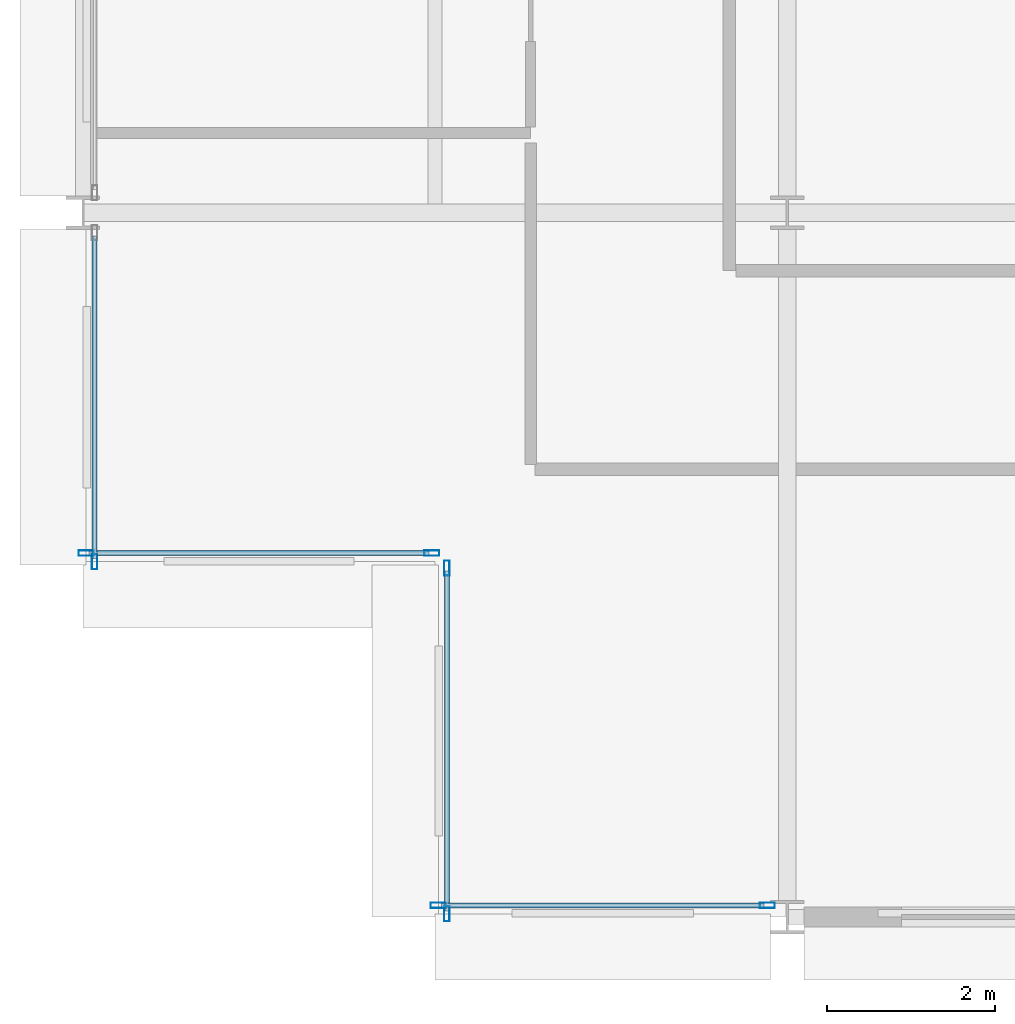
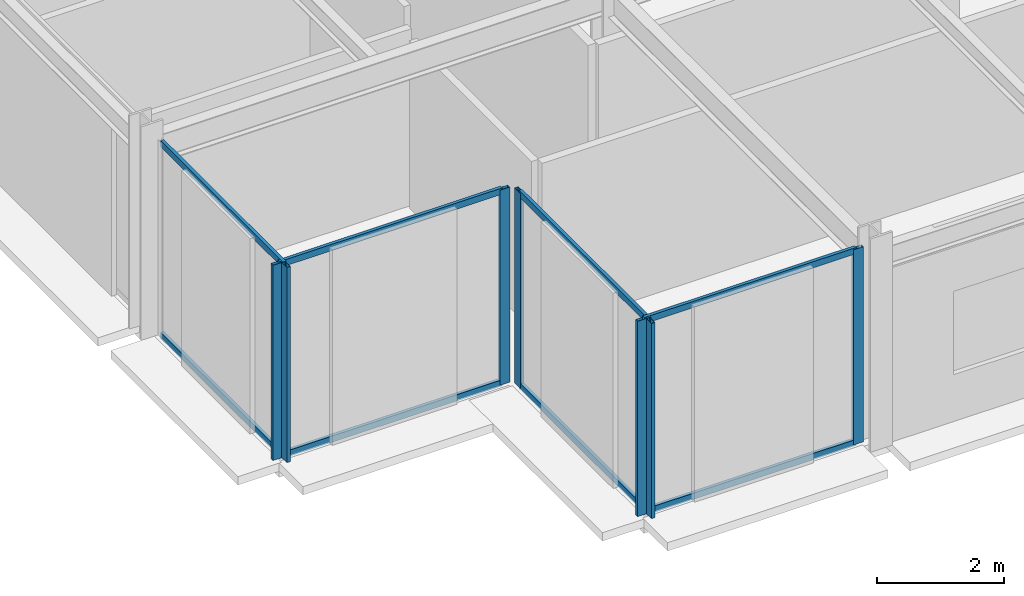
# One storey, part 4 of 40: 15 members, 4 elements without a shape of their own.
"""IFC4 building model written with IfcOpenShell, lengths in metres."""

from ifc_helpers import new_model, si_unit, direction, frame, origin, origin_2d, place, context, subcontext, project, spatial, hollow_rectangle, extrude, material, layer, layer_set, material_profile, profile_set, type_object, element, aggregate, save


model = new_model("IFC4")

# Units and contexts
model_context = context("Model", 3, precision=1e-05, world=origin(), true_north=direction((0.0, 1.0)))
body_context = subcontext(model_context, "Body", "Model", "MODEL_VIEW")
ifc_project = project(units=[si_unit("LENGTHUNIT", "METRE"), si_unit("AREAUNIT", "SQUARE_METRE"), si_unit("VOLUMEUNIT", "CUBIC_METRE"), si_unit("PLANEANGLEUNIT", "RADIAN"), si_unit("MASSUNIT", "GRAM", prefix="KILO")], contexts=[model_context])

# Site, building, storey
site_placement = place(None, origin())
site = spatial("IfcSite", under=ifc_project, at=site_placement, CompositionType="ELEMENT")
building_placement = place(site_placement, origin())
building = spatial("IfcBuilding", under=site, at=building_placement, Name="Nerrivon Quay Data Exchange", CompositionType="ELEMENT")
storey_placement = place(building_placement, frame((0.0, 0.0, 109.0)))
storey = spatial("IfcBuildingStorey", under=building, at=storey_placement, Name="L25", CompositionType="ELEMENT", Elevation=109.0)

# Curtain wall, members
ifc_material = material(Name="Anodised aluminium 6063-T6", Category="aluminium")
ifc_layer = layer(ifc_material, 0.2099609375)
ifc_layer_set = layer_set([ifc_layer], Name="Anodised aluminium 6063-T6")
curtain_wall_type = type_object("IfcCurtainWallType", Name="CW-SYS-02", PredefinedType="NOTDEFINED", material=ifc_layer_set)
curtain_wall_1_placement = place(storey_placement, origin())
curtain_wall_1 = element("IfcCurtainWall", 1, at=curtain_wall_1_placement, inside=storey, type_object=curtain_wall_type, Name="L25 Unitised Curtain Wall 14", PredefinedType="NOTDEFINED")
ifc_material_profile_1 = material_profile(ifc_material, hollow_rectangle(XDim=0.06494140625, YDim=0.179931640625, WallThickness=0.00341796875, at=origin_2d()), Name="ALU-MULL-180x65")
ifc_profile_set_1 = profile_set([ifc_material_profile_1], Name="Anodised aluminium 6063-T6")
member_type_1 = type_object("IfcMemberType", Name="CWM-180x65", PredefinedType="MULLION", material=ifc_profile_set_1)
member_1_placement = place(storey_placement, frame((8.16259765625, 0.139892578125, 0.0), z_axis=(0.0, 0.0, 1.0), x_axis=(0.0, -1.0, 0.0)))
member_1 = element("IfcMember", 2, at=member_1_placement, type_object=member_type_1, Name="CW02 mullion 1", PredefinedType="MULLION", context=body_context, shape_type="SweptSolid", body=[
    extrude(hollow_rectangle(XDim=0.06494140625, YDim=0.179931640625, WallThickness=0.00341796875, at=origin_2d()), origin(), (0.0, 0.0, 1.0), 3.75),
])
member_2_placement = place(storey_placement, frame((4.237548828125, 0.139892578125, 0.0), z_axis=(0.0, 0.0, 1.0), x_axis=(0.0, -1.0, 0.0)))
member_2 = element("IfcMember", 3, at=member_2_placement, type_object=member_type_1, Name="CW02 mullion 2", PredefinedType="MULLION", context=body_context, shape_type="SweptSolid", body=[
    extrude(hollow_rectangle(XDim=0.06494140625, YDim=0.179931640625, WallThickness=0.00341796875, at=origin_2d()), origin(), (0.0, 0.0, 1.0), 3.75),
])

curtain_wall_2_placement = place(storey_placement, origin())
curtain_wall_2 = element("IfcCurtainWall", 4, at=curtain_wall_2_placement, inside=storey, type_object=curtain_wall_type, Name="L25 Unitised Curtain Wall 15", PredefinedType="NOTDEFINED")
member_3_placement = place(storey_placement, frame((4.340087890625, 0.03759765625, 0.0), z_axis=(0.0, 0.0, 1.0), x_axis=(-1.0, 0.0, 0.0)))
member_3 = element("IfcMember", 5, at=member_3_placement, type_object=member_type_1, Name="CW02 mullion 1", PredefinedType="MULLION", context=body_context, shape_type="SweptSolid", body=[
    extrude(hollow_rectangle(XDim=0.06494140625, YDim=0.179931640625, WallThickness=0.00341796875, at=origin_2d()), origin(), (0.0, 0.0, 1.0), 3.75),
])
member_4_placement = place(storey_placement, frame((4.340087890625, 4.16259765625, 0.0), z_axis=(0.0, 0.0, 1.0), x_axis=(-1.0, 0.0, 0.0)))
member_4 = element("IfcMember", 6, at=member_4_placement, type_object=member_type_1, Name="CW02 mullion 2", PredefinedType="MULLION", context=body_context, shape_type="SweptSolid", body=[
    extrude(hollow_rectangle(XDim=0.06494140625, YDim=0.179931640625, WallThickness=0.00341796875, at=origin_2d()), origin(), (0.0, 0.0, 1.0), 3.75),
])

curtain_wall_3_placement = place(storey_placement, origin())
curtain_wall_3 = element("IfcCurtainWall", 7, at=curtain_wall_3_placement, inside=storey, type_object=curtain_wall_type, Name="L25 Unitised Curtain Wall 16", PredefinedType="NOTDEFINED")
member_5_placement = place(storey_placement, frame((4.16259765625, 4.340087890625, 0.0), z_axis=(0.0, 0.0, 1.0), x_axis=(0.0, -1.0, 0.0)))
member_5 = element("IfcMember", 8, at=member_5_placement, type_object=member_type_1, Name="CW02 mullion 1", PredefinedType="MULLION", context=body_context, shape_type="SweptSolid", body=[
    extrude(hollow_rectangle(XDim=0.06494140625, YDim=0.179931640625, WallThickness=0.00341796875, at=origin_2d()), origin(), (0.0, 0.0, 1.0), 3.75),
])
member_6_placement = place(storey_placement, frame((0.03759765625, 4.340087890625, 0.0), z_axis=(0.0, 0.0, 1.0), x_axis=(0.0, -1.0, 0.0)))
member_6 = element("IfcMember", 9, at=member_6_placement, type_object=member_type_1, Name="CW02 mullion 2", PredefinedType="MULLION", context=body_context, shape_type="SweptSolid", body=[
    extrude(hollow_rectangle(XDim=0.06494140625, YDim=0.179931640625, WallThickness=0.00341796875, at=origin_2d()), origin(), (0.0, 0.0, 1.0), 3.75),
])

# Curtain wall, member
curtain_wall_4_placement = place(storey_placement, origin())
curtain_wall_4 = element("IfcCurtainWall", 10, at=curtain_wall_4_placement, inside=storey, type_object=curtain_wall_type, Name="L25 Unitised Curtain Wall 17", PredefinedType="NOTDEFINED")
member_7_placement = place(storey_placement, frame((0.139892578125, 4.237548828125, 0.0), z_axis=(0.0, 0.0, 1.0), x_axis=(-1.0, 0.0, 0.0)))
member_7 = element("IfcMember", 11, at=member_7_placement, type_object=member_type_1, Name="CW02 mullion 1", PredefinedType="MULLION", context=body_context, shape_type="SweptSolid", body=[
    extrude(hollow_rectangle(XDim=0.06494140625, YDim=0.179931640625, WallThickness=0.00341796875, at=origin_2d()), origin(), (0.0, 0.0, 1.0), 3.75),
])

# Member
ifc_material_profile_2 = material_profile(ifc_material, hollow_rectangle(XDim=0.06005859375, YDim=0.1201171875, WallThickness=0.003173828125, at=origin_2d()), Name="ALU-TRAN-120x60")
ifc_profile_set_2 = profile_set([ifc_material_profile_2], Name="Anodised aluminium 6063-T6")
member_type_2 = type_object("IfcMemberType", Name="CWT-120x60", PredefinedType="USERDEFINED", material=ifc_profile_set_2)
member_8_placement = place(storey_placement, frame((8.125, 0.139892578125, 0.032470703125), z_axis=(-1.0, 0.0, 0.0), x_axis=(0.0, -1.0, 0.0)))
member_8 = element("IfcMember", 12, at=member_8_placement, type_object=member_type_2, Name="CW02 transom 1.1", ObjectType="TRANSOM", PredefinedType="USERDEFINED", context=body_context, shape_type="SweptSolid", body=[
    extrude(hollow_rectangle(XDim=0.06005859375, YDim=0.1201171875, WallThickness=0.003173828125, at=origin_2d()), origin(), (0.0, 0.0, 1.0), 3.85009765625),
])

member_9_placement = place(storey_placement, frame((8.125, 0.139892578125, 3.717529296875), z_axis=(-1.0, 0.0, 0.0), x_axis=(0.0, -1.0, 0.0)))
member_9 = element("IfcMember", 13, at=member_9_placement, type_object=member_type_2, Name="CW02 transom 1.2", ObjectType="TRANSOM", PredefinedType="USERDEFINED", context=body_context, shape_type="SweptSolid", body=[
    extrude(hollow_rectangle(XDim=0.06005859375, YDim=0.1201171875, WallThickness=0.003173828125, at=origin_2d()), origin(), (0.0, 0.0, 1.0), 3.85009765625),
])

aggregate(curtain_wall_1, [member_1, member_2, member_8, member_9])

member_10_placement = place(storey_placement, frame((4.340087890625, 0.074951171875, 0.032470703125), z_axis=(0.0, 1.0, 0.0), x_axis=(-1.0, 0.0, 0.0)))
member_10 = element("IfcMember", 14, at=member_10_placement, type_object=member_type_2, Name="CW02 transom 1.1", ObjectType="TRANSOM", PredefinedType="USERDEFINED", context=body_context, shape_type="SweptSolid", body=[
    extrude(hollow_rectangle(XDim=0.06005859375, YDim=0.1201171875, WallThickness=0.003173828125, at=origin_2d()), origin(), (0.0, 0.0, 1.0), 4.050048828125),
])

member_11_placement = place(storey_placement, frame((4.340087890625, 0.074951171875, 3.717529296875), z_axis=(0.0, 1.0, 0.0), x_axis=(-1.0, 0.0, 0.0)))
member_11 = element("IfcMember", 15, at=member_11_placement, type_object=member_type_2, Name="CW02 transom 1.2", ObjectType="TRANSOM", PredefinedType="USERDEFINED", context=body_context, shape_type="SweptSolid", body=[
    extrude(hollow_rectangle(XDim=0.06005859375, YDim=0.1201171875, WallThickness=0.003173828125, at=origin_2d()), origin(), (0.0, 0.0, 1.0), 4.050048828125),
])

aggregate(curtain_wall_2, [member_3, member_4, member_10, member_11])

member_12_placement = place(storey_placement, frame((4.125, 4.340087890625, 0.032470703125), z_axis=(-1.0, 0.0, 0.0), x_axis=(0.0, -1.0, 0.0)))
member_12 = element("IfcMember", 16, at=member_12_placement, type_object=member_type_2, Name="CW02 transom 1.1", ObjectType="TRANSOM", PredefinedType="USERDEFINED", context=body_context, shape_type="SweptSolid", body=[
    extrude(hollow_rectangle(XDim=0.06005859375, YDim=0.1201171875, WallThickness=0.003173828125, at=origin_2d()), origin(), (0.0, 0.0, 1.0), 4.050048828125),
])

member_13_placement = place(storey_placement, frame((4.125, 4.340087890625, 3.717529296875), z_axis=(-1.0, 0.0, 0.0), x_axis=(0.0, -1.0, 0.0)))
member_13 = element("IfcMember", 17, at=member_13_placement, type_object=member_type_2, Name="CW02 transom 1.2", ObjectType="TRANSOM", PredefinedType="USERDEFINED", context=body_context, shape_type="SweptSolid", body=[
    extrude(hollow_rectangle(XDim=0.06005859375, YDim=0.1201171875, WallThickness=0.003173828125, at=origin_2d()), origin(), (0.0, 0.0, 1.0), 4.050048828125),
])

aggregate(curtain_wall_3, [member_5, member_6, member_12, member_13])

member_14_placement = place(storey_placement, frame((0.139892578125, 4.27490234375, 0.032470703125), z_axis=(0.0, 1.0, 0.0), x_axis=(-1.0, 0.0, 0.0)))
member_14 = element("IfcMember", 18, at=member_14_placement, type_object=member_type_2, Name="CW02 transom 1.1", ObjectType="TRANSOM", PredefinedType="USERDEFINED", context=body_context, shape_type="SweptSolid", body=[
    extrude(hollow_rectangle(XDim=0.06005859375, YDim=0.1201171875, WallThickness=0.003173828125, at=origin_2d()), origin(), (0.0, 0.0, 1.0), 3.85009765625),
])

member_15_placement = place(storey_placement, frame((0.139892578125, 4.27490234375, 3.717529296875), z_axis=(0.0, 1.0, 0.0), x_axis=(-1.0, 0.0, 0.0)))
member_15 = element("IfcMember", 19, at=member_15_placement, type_object=member_type_2, Name="CW02 transom 1.2", ObjectType="TRANSOM", PredefinedType="USERDEFINED", context=body_context, shape_type="SweptSolid", body=[
    extrude(hollow_rectangle(XDim=0.06005859375, YDim=0.1201171875, WallThickness=0.003173828125, at=origin_2d()), origin(), (0.0, 0.0, 1.0), 3.85009765625),
])

aggregate(curtain_wall_4, [member_7, member_14, member_15])

save(model, "model.ifc")
